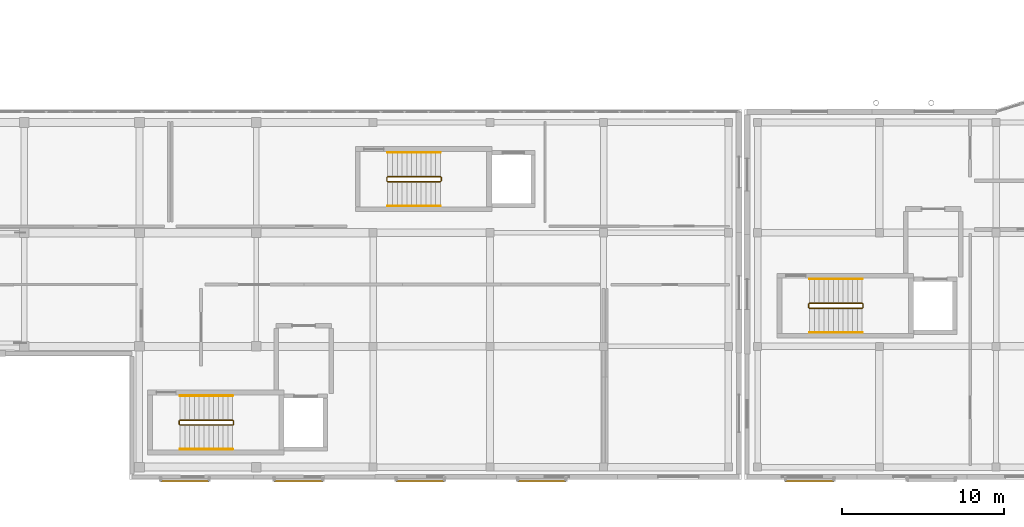
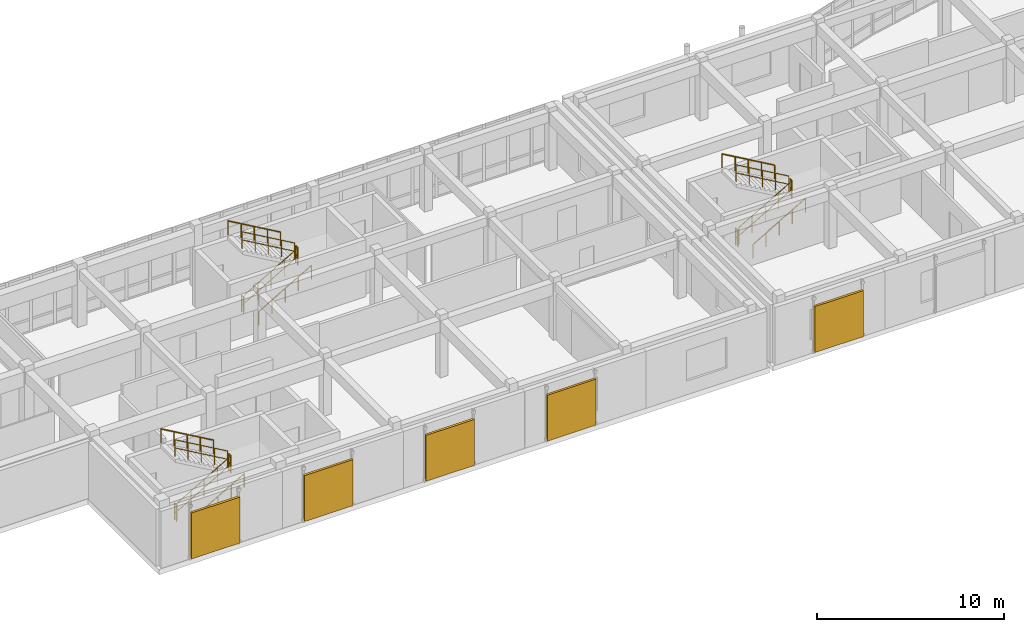
# One storey, part 87 of 91: 18 railings, 5 shading devices.
"""IFC4 building model written with IfcOpenShell, lengths in metres."""

from ifc_helpers import new_model, si_unit, direction, frame, origin, origin_2d, place, context, subcontext, project, spatial, rectangle, circle, extrude, material, layer, layer_set, type_object, element, save


model = new_model("IFC4")

# Units and contexts
model_context = context("Model", 3, precision=1e-05, world=origin(), true_north=direction((0.0, 1.0)))
body_context = subcontext(model_context, "Body", "Model", "MODEL_VIEW")
ifc_project = project(units=[si_unit("LENGTHUNIT", "METRE"), si_unit("AREAUNIT", "SQUARE_METRE"), si_unit("VOLUMEUNIT", "CUBIC_METRE"), si_unit("PLANEANGLEUNIT", "RADIAN"), si_unit("MASSUNIT", "GRAM", prefix="KILO")], contexts=[model_context])

# Site, building, storey
site_placement = place(None, origin())
site = spatial("IfcSite", under=ifc_project, at=site_placement, CompositionType="ELEMENT")
building_placement = place(site_placement, origin())
building = spatial("IfcBuilding", under=site, at=building_placement, Name="Valcora Specialist Clinic", CompositionType="ELEMENT")
storey_placement = place(building_placement, frame((0.0, 0.0, 13.60009765625)))
storey = spatial("IfcBuildingStorey", under=building, at=storey_placement, Name="L03", CompositionType="ELEMENT", Elevation=13.60009765625)

# Railings
ifc_material_1 = material(Name="Stainless Steel AISI 316", Category="steel")
railing_type_1 = type_object("IfcRailingType", Name="TY-RL-GRD112", PredefinedType="GUARDRAIL", material=ifc_material_1)
railing_1_placement = place(storey_placement, frame((18.699951171875, 3.35009765625, 0.169921875)))
element("IfcRailing", 1, at=railing_1_placement, inside=storey, type_object=railing_type_1, Name="L03 ST-V5A stair guard 1", PredefinedType="GUARDRAIL", context=body_context, shape_type="SweptSolid", body=[
    extrude(circle(Radius=0.02392578125, at=origin_2d()), frame((0.0, 0.0, 1.09619140625), z_axis=(0.866452428451, 0.0, 0.4992596411), x_axis=(0.0, 1.0, 0.0)), (0.0, 0.0, 1.0), 3.745361328125),
    extrude(circle(Radius=0.02392578125, at=origin_2d()), frame((0.0, 0.0, 0.56005859375), z_axis=(0.866452428451, 0.0, 0.4992596411), x_axis=(0.0, 1.0, 0.0)), (0.0, 0.0, 1.0), 3.745361328125),
    extrude(circle(Radius=0.02099609375, at=origin_2d()), origin(), (0.0, 0.0, 1.0), 1.072021484375),
    extrude(circle(Radius=0.02099609375, at=origin_2d()), frame((0.811279296875, 0.0, 0.467529296875)), (0.0, 0.0, 1.0), 1.072021484375),
    extrude(circle(Radius=0.02099609375, at=origin_2d()), frame((1.62255859375, 0.0, 0.93505859375)), (0.0, 0.0, 1.0), 1.072021484375),
    extrude(circle(Radius=0.02099609375, at=origin_2d()), frame((2.433837890625, 0.0, 1.40234375)), (0.0, 0.0, 1.0), 1.072021484375),
    extrude(circle(Radius=0.02099609375, at=origin_2d()), frame((3.2451171875, 0.0, 1.869873046875)), (0.0, 0.0, 1.0), 1.072021484375),
])
railing_2_placement = place(storey_placement, frame((21.9951171875, 3.39990234375, 2.039794921875)))
element("IfcRailing", 2, at=railing_2_placement, inside=storey, type_object=railing_type_1, Name="L03 ST-V5A stair guard 2", PredefinedType="GUARDRAIL", context=body_context, shape_type="SweptSolid", body=[
    extrude(circle(Radius=0.02392578125, at=origin_2d()), frame((0.0, 0.0, 1.09619140625), z_axis=(0.0, 1.0, 0.0), x_axis=(-1.0, 0.0, 0.0)), (0.0, 0.0, 1.0), 0.2001953125),
    extrude(circle(Radius=0.02392578125, at=origin_2d()), frame((0.0, 0.0, 0.56005859375), z_axis=(0.0, 1.0, 0.0), x_axis=(-1.0, 0.0, 0.0)), (0.0, 0.0, 1.0), 0.2001953125),
    extrude(circle(Radius=0.02099609375, at=origin_2d()), origin(), (0.0, 0.0, 1.0), 1.072021484375),
    extrude(circle(Radius=0.02099609375, at=origin_2d()), frame((0.0, 0.2001953125, 0.0)), (0.0, 0.0, 1.0), 1.072021484375),
])
railing_3_placement = place(storey_placement, frame((21.945068359375, 3.64990234375, 2.2099609375)))
element("IfcRailing", 3, at=railing_3_placement, inside=storey, type_object=railing_type_1, Name="L03 ST-V5A stair guard 3", PredefinedType="GUARDRAIL", context=body_context, shape_type="SweptSolid", body=[
    extrude(circle(Radius=0.02392578125, at=origin_2d()), frame((0.0, 0.0, 1.09619140625), z_axis=(-0.866452428451, 0.0, 0.4992596411), x_axis=(0.0, -1.0, 0.0)), (0.0, 0.0, 1.0), 3.745361328125),
    extrude(circle(Radius=0.02392578125, at=origin_2d()), frame((0.0, 0.0, 0.56005859375), z_axis=(-0.866452428451, 0.0, 0.4992596411), x_axis=(0.0, -1.0, 0.0)), (0.0, 0.0, 1.0), 3.745361328125),
    extrude(circle(Radius=0.02099609375, at=origin_2d()), origin(), (0.0, 0.0, 1.0), 1.072021484375),
    extrude(circle(Radius=0.02099609375, at=origin_2d()), frame((-0.811279296875, 0.0, 0.467529296875)), (0.0, 0.0, 1.0), 1.072021484375),
    extrude(circle(Radius=0.02099609375, at=origin_2d()), frame((-1.62255859375, 0.0, 0.93505859375)), (0.0, 0.0, 1.0), 1.072021484375),
    extrude(circle(Radius=0.02099609375, at=origin_2d()), frame((-2.433837890625, 0.0, 1.40234375)), (0.0, 0.0, 1.0), 1.072021484375),
    extrude(circle(Radius=0.02099609375, at=origin_2d()), frame((-3.2451171875, 0.0, 1.869873046875)), (0.0, 0.0, 1.0), 1.072021484375),
])
railing_4_placement = place(storey_placement, frame((18.64990234375, 3.39990234375, 0.0)))
element("IfcRailing", 4, at=railing_4_placement, inside=storey, type_object=railing_type_1, Name="L03 ST-V5A stair guard 4", PredefinedType="GUARDRAIL", context=body_context, shape_type="SweptSolid", body=[
    extrude(circle(Radius=0.02392578125, at=origin_2d()), frame((0.0, 0.0, 1.09619140625), z_axis=(0.0, 1.0, 0.0), x_axis=(-1.0, 0.0, 0.0)), (0.0, 0.0, 1.0), 0.2001953125),
    extrude(circle(Radius=0.02392578125, at=origin_2d()), frame((0.0, 0.0, 0.56005859375), z_axis=(0.0, 1.0, 0.0), x_axis=(-1.0, 0.0, 0.0)), (0.0, 0.0, 1.0), 0.2001953125),
    extrude(circle(Radius=0.02099609375, at=origin_2d()), origin(), (0.0, 0.0, 1.0), 1.072021484375),
    extrude(circle(Radius=0.02099609375, at=origin_2d()), frame((0.0, 0.2001953125, 0.0)), (0.0, 0.0, 1.0), 1.072021484375),
])
railing_5_placement = place(storey_placement, frame((31.5, 18.35009765625, 0.169921875)))
element("IfcRailing", 5, at=railing_5_placement, inside=storey, type_object=railing_type_1, Name="L03 ST-V5B stair guard 1", PredefinedType="GUARDRAIL", context=body_context, shape_type="SweptSolid", body=[
    extrude(circle(Radius=0.02392578125, at=origin_2d()), frame((0.0, 0.0, 1.09619140625), z_axis=(0.866452428451, 0.0, 0.4992596411), x_axis=(0.0, 1.0, 0.0)), (0.0, 0.0, 1.0), 3.745361328125),
    extrude(circle(Radius=0.02392578125, at=origin_2d()), frame((0.0, 0.0, 0.56005859375), z_axis=(0.866452428451, 0.0, 0.4992596411), x_axis=(0.0, 1.0, 0.0)), (0.0, 0.0, 1.0), 3.745361328125),
    extrude(circle(Radius=0.02099609375, at=origin_2d()), origin(), (0.0, 0.0, 1.0), 1.072021484375),
    extrude(circle(Radius=0.02099609375, at=origin_2d()), frame((0.811279296875, 0.0, 0.467529296875)), (0.0, 0.0, 1.0), 1.072021484375),
    extrude(circle(Radius=0.02099609375, at=origin_2d()), frame((1.62255859375, 0.0, 0.93505859375)), (0.0, 0.0, 1.0), 1.072021484375),
    extrude(circle(Radius=0.02099609375, at=origin_2d()), frame((2.433837890625, 0.0, 1.40234375)), (0.0, 0.0, 1.0), 1.072021484375),
    extrude(circle(Radius=0.02099609375, at=origin_2d()), frame((3.2451171875, 0.0, 1.869873046875)), (0.0, 0.0, 1.0), 1.072021484375),
])
railing_6_placement = place(storey_placement, frame((34.794921875, 18.39990234375, 2.039794921875)))
element("IfcRailing", 6, at=railing_6_placement, inside=storey, type_object=railing_type_1, Name="L03 ST-V5B stair guard 2", PredefinedType="GUARDRAIL", context=body_context, shape_type="SweptSolid", body=[
    extrude(circle(Radius=0.02392578125, at=origin_2d()), frame((0.0, 0.0, 1.09619140625), z_axis=(0.0, 1.0, 0.0), x_axis=(-1.0, 0.0, 0.0)), (0.0, 0.0, 1.0), 0.2001953125),
    extrude(circle(Radius=0.02392578125, at=origin_2d()), frame((0.0, 0.0, 0.56005859375), z_axis=(0.0, 1.0, 0.0), x_axis=(-1.0, 0.0, 0.0)), (0.0, 0.0, 1.0), 0.2001953125),
    extrude(circle(Radius=0.02099609375, at=origin_2d()), origin(), (0.0, 0.0, 1.0), 1.072021484375),
    extrude(circle(Radius=0.02099609375, at=origin_2d()), frame((0.0, 0.2001953125, 0.0)), (0.0, 0.0, 1.0), 1.072021484375),
])
railing_7_placement = place(storey_placement, frame((34.7451171875, 18.64990234375, 2.2099609375)))
element("IfcRailing", 7, at=railing_7_placement, inside=storey, type_object=railing_type_1, Name="L03 ST-V5B stair guard 3", PredefinedType="GUARDRAIL", context=body_context, shape_type="SweptSolid", body=[
    extrude(circle(Radius=0.02392578125, at=origin_2d()), frame((0.0, 0.0, 1.09619140625), z_axis=(-0.866452428451, 0.0, 0.4992596411), x_axis=(0.0, -1.0, 0.0)), (0.0, 0.0, 1.0), 3.745361328125),
    extrude(circle(Radius=0.02392578125, at=origin_2d()), frame((0.0, 0.0, 0.56005859375), z_axis=(-0.866452428451, 0.0, 0.4992596411), x_axis=(0.0, -1.0, 0.0)), (0.0, 0.0, 1.0), 3.745361328125),
    extrude(circle(Radius=0.02099609375, at=origin_2d()), origin(), (0.0, 0.0, 1.0), 1.072021484375),
    extrude(circle(Radius=0.02099609375, at=origin_2d()), frame((-0.811279296875, 0.0, 0.467529296875)), (0.0, 0.0, 1.0), 1.072021484375),
    extrude(circle(Radius=0.02099609375, at=origin_2d()), frame((-1.62255859375, 0.0, 0.93505859375)), (0.0, 0.0, 1.0), 1.072021484375),
    extrude(circle(Radius=0.02099609375, at=origin_2d()), frame((-2.433837890625, 0.0, 1.40234375)), (0.0, 0.0, 1.0), 1.072021484375),
    extrude(circle(Radius=0.02099609375, at=origin_2d()), frame((-3.2451171875, 0.0, 1.869873046875)), (0.0, 0.0, 1.0), 1.072021484375),
])
railing_8_placement = place(storey_placement, frame((31.449951171875, 18.39990234375, 0.0)))
element("IfcRailing", 8, at=railing_8_placement, inside=storey, type_object=railing_type_1, Name="L03 ST-V5B stair guard 4", PredefinedType="GUARDRAIL", context=body_context, shape_type="SweptSolid", body=[
    extrude(circle(Radius=0.02392578125, at=origin_2d()), frame((0.0, 0.0, 1.09619140625), z_axis=(0.0, 1.0, 0.0), x_axis=(-1.0, 0.0, 0.0)), (0.0, 0.0, 1.0), 0.2001953125),
    extrude(circle(Radius=0.02392578125, at=origin_2d()), frame((0.0, 0.0, 0.56005859375), z_axis=(0.0, 1.0, 0.0), x_axis=(-1.0, 0.0, 0.0)), (0.0, 0.0, 1.0), 0.2001953125),
    extrude(circle(Radius=0.02099609375, at=origin_2d()), origin(), (0.0, 0.0, 1.0), 1.072021484375),
    extrude(circle(Radius=0.02099609375, at=origin_2d()), frame((0.0, 0.2001953125, 0.0)), (0.0, 0.0, 1.0), 1.072021484375),
])
railing_9_placement = place(storey_placement, frame((57.5, 10.550048828125, 0.169921875)))
element("IfcRailing", 9, at=railing_9_placement, inside=storey, type_object=railing_type_1, Name="L03 ST-V6A stair guard 1", PredefinedType="GUARDRAIL", context=body_context, shape_type="SweptSolid", body=[
    extrude(circle(Radius=0.02392578125, at=origin_2d()), frame((0.0, 0.0, 1.09619140625), z_axis=(0.866452428451, 0.0, 0.4992596411), x_axis=(0.0, 1.0, 0.0)), (0.0, 0.0, 1.0), 3.745361328125),
    extrude(circle(Radius=0.02392578125, at=origin_2d()), frame((0.0, 0.0, 0.56005859375), z_axis=(0.866452428451, 0.0, 0.4992596411), x_axis=(0.0, 1.0, 0.0)), (0.0, 0.0, 1.0), 3.745361328125),
    extrude(circle(Radius=0.02099609375, at=origin_2d()), origin(), (0.0, 0.0, 1.0), 1.072021484375),
    extrude(circle(Radius=0.02099609375, at=origin_2d()), frame((0.811279296875, 0.0, 0.467529296875)), (0.0, 0.0, 1.0), 1.072021484375),
    extrude(circle(Radius=0.02099609375, at=origin_2d()), frame((1.62255859375, 0.0, 0.93505859375)), (0.0, 0.0, 1.0), 1.072021484375),
    extrude(circle(Radius=0.02099609375, at=origin_2d()), frame((2.433837890625, 0.0, 1.40234375)), (0.0, 0.0, 1.0), 1.072021484375),
    extrude(circle(Radius=0.02099609375, at=origin_2d()), frame((3.2451171875, 0.0, 1.869873046875)), (0.0, 0.0, 1.0), 1.072021484375),
])
railing_10_placement = place(storey_placement, frame((60.794921875, 10.60009765625, 2.039794921875)))
element("IfcRailing", 10, at=railing_10_placement, inside=storey, type_object=railing_type_1, Name="L03 ST-V6A stair guard 2", PredefinedType="GUARDRAIL", context=body_context, shape_type="SweptSolid", body=[
    extrude(circle(Radius=0.02392578125, at=origin_2d()), frame((0.0, 0.0, 1.09619140625), z_axis=(0.0, 1.0, 0.0), x_axis=(-1.0, 0.0, 0.0)), (0.0, 0.0, 1.0), 0.199951171875),
    extrude(circle(Radius=0.02392578125, at=origin_2d()), frame((0.0, 0.0, 0.56005859375), z_axis=(0.0, 1.0, 0.0), x_axis=(-1.0, 0.0, 0.0)), (0.0, 0.0, 1.0), 0.199951171875),
    extrude(circle(Radius=0.02099609375, at=origin_2d()), origin(), (0.0, 0.0, 1.0), 1.072021484375),
    extrude(circle(Radius=0.02099609375, at=origin_2d()), frame((0.0, 0.199951171875, 0.0)), (0.0, 0.0, 1.0), 1.072021484375),
])
railing_11_placement = place(storey_placement, frame((60.7451171875, 10.85009765625, 2.2099609375)))
element("IfcRailing", 11, at=railing_11_placement, inside=storey, type_object=railing_type_1, Name="L03 ST-V6A stair guard 3", PredefinedType="GUARDRAIL", context=body_context, shape_type="SweptSolid", body=[
    extrude(circle(Radius=0.02392578125, at=origin_2d()), frame((0.0, 0.0, 1.09619140625), z_axis=(-0.866452428451, 0.0, 0.4992596411), x_axis=(0.0, -1.0, 0.0)), (0.0, 0.0, 1.0), 3.745361328125),
    extrude(circle(Radius=0.02392578125, at=origin_2d()), frame((0.0, 0.0, 0.56005859375), z_axis=(-0.866452428451, 0.0, 0.4992596411), x_axis=(0.0, -1.0, 0.0)), (0.0, 0.0, 1.0), 3.745361328125),
    extrude(circle(Radius=0.02099609375, at=origin_2d()), origin(), (0.0, 0.0, 1.0), 1.072021484375),
    extrude(circle(Radius=0.02099609375, at=origin_2d()), frame((-0.811279296875, 0.0, 0.467529296875)), (0.0, 0.0, 1.0), 1.072021484375),
    extrude(circle(Radius=0.02099609375, at=origin_2d()), frame((-1.62255859375, 0.0, 0.93505859375)), (0.0, 0.0, 1.0), 1.072021484375),
    extrude(circle(Radius=0.02099609375, at=origin_2d()), frame((-2.433837890625, 0.0, 1.40234375)), (0.0, 0.0, 1.0), 1.072021484375),
    extrude(circle(Radius=0.02099609375, at=origin_2d()), frame((-3.2451171875, 0.0, 1.869873046875)), (0.0, 0.0, 1.0), 1.072021484375),
])
railing_12_placement = place(storey_placement, frame((57.449951171875, 10.60009765625, 0.0)))
element("IfcRailing", 12, at=railing_12_placement, inside=storey, type_object=railing_type_1, Name="L03 ST-V6A stair guard 4", PredefinedType="GUARDRAIL", context=body_context, shape_type="SweptSolid", body=[
    extrude(circle(Radius=0.02392578125, at=origin_2d()), frame((0.0, 0.0, 1.09619140625), z_axis=(0.0, 1.0, 0.0), x_axis=(-1.0, 0.0, 0.0)), (0.0, 0.0, 1.0), 0.199951171875),
    extrude(circle(Radius=0.02392578125, at=origin_2d()), frame((0.0, 0.0, 0.56005859375), z_axis=(0.0, 1.0, 0.0), x_axis=(-1.0, 0.0, 0.0)), (0.0, 0.0, 1.0), 0.199951171875),
    extrude(circle(Radius=0.02099609375, at=origin_2d()), origin(), (0.0, 0.0, 1.0), 1.072021484375),
    extrude(circle(Radius=0.02099609375, at=origin_2d()), frame((0.0, 0.199951171875, 0.0)), (0.0, 0.0, 1.0), 1.072021484375),
])
railing_type_2 = type_object("IfcRailingType", Name="TY-RL-HND092", PredefinedType="HANDRAIL", material=ifc_material_1)
railing_13_placement = place(storey_placement, frame((18.699951171875, 1.85009765625, 0.169921875)))
element("IfcRailing", 13, at=railing_13_placement, inside=storey, type_object=railing_type_2, Name="L03 ST-V5A stair handrail 1", PredefinedType="HANDRAIL", context=body_context, shape_type="SweptSolid", body=[
    extrude(circle(Radius=0.02392578125, at=origin_2d()), frame((0.0, 0.0, 0.89599609375), z_axis=(0.866452428451, 0.0, 0.4992596411), x_axis=(0.0, 1.0, 0.0)), (0.0, 0.0, 1.0), 3.745361328125),
    extrude(circle(Radius=0.02099609375, at=origin_2d()), origin(), (0.0, 0.0, 1.0), 0.871826171875),
    extrude(circle(Radius=0.02099609375, at=origin_2d()), frame((0.811279296875, 0.0, 0.467529296875)), (0.0, 0.0, 1.0), 0.871826171875),
    extrude(circle(Radius=0.02099609375, at=origin_2d()), frame((1.62255859375, 0.0, 0.93505859375)), (0.0, 0.0, 1.0), 0.871826171875),
    extrude(circle(Radius=0.02099609375, at=origin_2d()), frame((2.433837890625, 0.0, 1.40234375)), (0.0, 0.0, 1.0), 0.871826171875),
    extrude(circle(Radius=0.02099609375, at=origin_2d()), frame((3.2451171875, 0.0, 1.869873046875)), (0.0, 0.0, 1.0), 0.871826171875),
])
railing_14_placement = place(storey_placement, frame((21.945068359375, 5.14990234375, 2.2099609375)))
element("IfcRailing", 14, at=railing_14_placement, inside=storey, type_object=railing_type_2, Name="L03 ST-V5A stair handrail 2", PredefinedType="HANDRAIL", context=body_context, shape_type="SweptSolid", body=[
    extrude(circle(Radius=0.02392578125, at=origin_2d()), frame((0.0, 0.0, 0.89599609375), z_axis=(-0.866452428451, 0.0, 0.4992596411), x_axis=(0.0, -1.0, 0.0)), (0.0, 0.0, 1.0), 3.745361328125),
    extrude(circle(Radius=0.02099609375, at=origin_2d()), origin(), (0.0, 0.0, 1.0), 0.871826171875),
    extrude(circle(Radius=0.02099609375, at=origin_2d()), frame((-0.811279296875, 0.0, 0.467529296875)), (0.0, 0.0, 1.0), 0.871826171875),
    extrude(circle(Radius=0.02099609375, at=origin_2d()), frame((-1.62255859375, 0.0, 0.93505859375)), (0.0, 0.0, 1.0), 0.871826171875),
    extrude(circle(Radius=0.02099609375, at=origin_2d()), frame((-2.433837890625, 0.0, 1.40234375)), (0.0, 0.0, 1.0), 0.871826171875),
    extrude(circle(Radius=0.02099609375, at=origin_2d()), frame((-3.2451171875, 0.0, 1.869873046875)), (0.0, 0.0, 1.0), 0.871826171875),
])
railing_15_placement = place(storey_placement, frame((31.5, 16.85009765625, 0.169921875)))
element("IfcRailing", 15, at=railing_15_placement, inside=storey, type_object=railing_type_2, Name="L03 ST-V5B stair handrail 1", PredefinedType="HANDRAIL", context=body_context, shape_type="SweptSolid", body=[
    extrude(circle(Radius=0.02392578125, at=origin_2d()), frame((0.0, 0.0, 0.89599609375), z_axis=(0.866452428451, 0.0, 0.4992596411), x_axis=(0.0, 1.0, 0.0)), (0.0, 0.0, 1.0), 3.745361328125),
    extrude(circle(Radius=0.02099609375, at=origin_2d()), origin(), (0.0, 0.0, 1.0), 0.871826171875),
    extrude(circle(Radius=0.02099609375, at=origin_2d()), frame((0.811279296875, 0.0, 0.467529296875)), (0.0, 0.0, 1.0), 0.871826171875),
    extrude(circle(Radius=0.02099609375, at=origin_2d()), frame((1.62255859375, 0.0, 0.93505859375)), (0.0, 0.0, 1.0), 0.871826171875),
    extrude(circle(Radius=0.02099609375, at=origin_2d()), frame((2.433837890625, 0.0, 1.40234375)), (0.0, 0.0, 1.0), 0.871826171875),
    extrude(circle(Radius=0.02099609375, at=origin_2d()), frame((3.2451171875, 0.0, 1.869873046875)), (0.0, 0.0, 1.0), 0.871826171875),
])
railing_16_placement = place(storey_placement, frame((34.7451171875, 20.14990234375, 2.2099609375)))
element("IfcRailing", 16, at=railing_16_placement, inside=storey, type_object=railing_type_2, Name="L03 ST-V5B stair handrail 2", PredefinedType="HANDRAIL", context=body_context, shape_type="SweptSolid", body=[
    extrude(circle(Radius=0.02392578125, at=origin_2d()), frame((0.0, 0.0, 0.89599609375), z_axis=(-0.866452428451, 0.0, 0.4992596411), x_axis=(0.0, -1.0, 0.0)), (0.0, 0.0, 1.0), 3.745361328125),
    extrude(circle(Radius=0.02099609375, at=origin_2d()), origin(), (0.0, 0.0, 1.0), 0.871826171875),
    extrude(circle(Radius=0.02099609375, at=origin_2d()), frame((-0.811279296875, 0.0, 0.467529296875)), (0.0, 0.0, 1.0), 0.871826171875),
    extrude(circle(Radius=0.02099609375, at=origin_2d()), frame((-1.62255859375, 0.0, 0.93505859375)), (0.0, 0.0, 1.0), 0.871826171875),
    extrude(circle(Radius=0.02099609375, at=origin_2d()), frame((-2.433837890625, 0.0, 1.40234375)), (0.0, 0.0, 1.0), 0.871826171875),
    extrude(circle(Radius=0.02099609375, at=origin_2d()), frame((-3.2451171875, 0.0, 1.869873046875)), (0.0, 0.0, 1.0), 0.871826171875),
])
railing_17_placement = place(storey_placement, frame((57.5, 9.050048828125, 0.169921875)))
element("IfcRailing", 17, at=railing_17_placement, inside=storey, type_object=railing_type_2, Name="L03 ST-V6A stair handrail 1", PredefinedType="HANDRAIL", context=body_context, shape_type="SweptSolid", body=[
    extrude(circle(Radius=0.02392578125, at=origin_2d()), frame((0.0, 0.0, 0.89599609375), z_axis=(0.866452428451, 0.0, 0.4992596411), x_axis=(0.0, 1.0, 0.0)), (0.0, 0.0, 1.0), 3.745361328125),
    extrude(circle(Radius=0.02099609375, at=origin_2d()), origin(), (0.0, 0.0, 1.0), 0.871826171875),
    extrude(circle(Radius=0.02099609375, at=origin_2d()), frame((0.811279296875, 0.0, 0.467529296875)), (0.0, 0.0, 1.0), 0.871826171875),
    extrude(circle(Radius=0.02099609375, at=origin_2d()), frame((1.62255859375, 0.0, 0.93505859375)), (0.0, 0.0, 1.0), 0.871826171875),
    extrude(circle(Radius=0.02099609375, at=origin_2d()), frame((2.433837890625, 0.0, 1.40234375)), (0.0, 0.0, 1.0), 0.871826171875),
    extrude(circle(Radius=0.02099609375, at=origin_2d()), frame((3.2451171875, 0.0, 1.869873046875)), (0.0, 0.0, 1.0), 0.871826171875),
])
railing_18_placement = place(storey_placement, frame((60.7451171875, 12.35009765625, 2.2099609375)))
element("IfcRailing", 18, at=railing_18_placement, inside=storey, type_object=railing_type_2, Name="L03 ST-V6A stair handrail 2", PredefinedType="HANDRAIL", context=body_context, shape_type="SweptSolid", body=[
    extrude(circle(Radius=0.02392578125, at=origin_2d()), frame((0.0, 0.0, 0.89599609375), z_axis=(-0.866452428451, 0.0, 0.4992596411), x_axis=(0.0, -1.0, 0.0)), (0.0, 0.0, 1.0), 3.745361328125),
    extrude(circle(Radius=0.02099609375, at=origin_2d()), origin(), (0.0, 0.0, 1.0), 0.871826171875),
    extrude(circle(Radius=0.02099609375, at=origin_2d()), frame((-0.811279296875, 0.0, 0.467529296875)), (0.0, 0.0, 1.0), 0.871826171875),
    extrude(circle(Radius=0.02099609375, at=origin_2d()), frame((-1.62255859375, 0.0, 0.93505859375)), (0.0, 0.0, 1.0), 0.871826171875),
    extrude(circle(Radius=0.02099609375, at=origin_2d()), frame((-2.433837890625, 0.0, 1.40234375)), (0.0, 0.0, 1.0), 0.871826171875),
    extrude(circle(Radius=0.02099609375, at=origin_2d()), frame((-3.2451171875, 0.0, 1.869873046875)), (0.0, 0.0, 1.0), 0.871826171875),
])

# Shading devices
ifc_material_2 = material(Name="Perforated Jalisco Clay Brick Masonry", Category="masonry")
ifc_layer = layer(ifc_material_2, 0.139892578125)
ifc_layer_set = layer_set([ifc_layer], Name="Perforated Jalisco Clay Brick Masonry")
shading_device_type = type_object("IfcShadingDeviceType", Name="TY-SD-SCR300", PredefinedType="USERDEFINED", material=ifc_layer_set)
for number, where, z_axis, x_axis, name in (
    (19, (19.0, -0.10009765625, 0.119873046875), (0.0, 0.0, 1.0), (1.0, 0.0, 0.0), "Perforated Jalisco brick screen 21"),
    (20, (26.0, -0.10009765625, 0.119873046875), (0.0, 0.0, 1.0), (1.0, 0.0, 0.0), "Perforated Jalisco brick screen 22"),
    (21, (33.5, -0.10009765625, 0.119873046875), (0.0, 0.0, 1.0), (1.0, 0.0, 0.0), "Perforated Jalisco brick screen 23"),
    (22, (41.0, -0.10009765625, 0.119873046875), (0.0, 0.0, 1.0), (1.0, 0.0, 0.0), "Perforated Jalisco brick screen 24"),
    (23, (57.5, -0.10009765625, 0.119873046875), (0.0, 0.0, 1.0), (1.0, 0.0, 0.0), "Perforated Jalisco brick screen 25"),
):
    element("IfcShadingDevice", number, at=place(storey_placement, frame(where, z_axis=z_axis, x_axis=x_axis)), inside=storey, type_object=shading_device_type, Name=name, ObjectType="PERFORATED BRICK SCREEN", PredefinedType="USERDEFINED", context=body_context, shape_type="SweptSolid", body=[
        extrude(rectangle(XDim=3.0, YDim=0.139892578125, at=origin_2d()), origin(), (0.0, 0.0, 1.0), 3.0),
    ])

save(model, "model.ifc")
